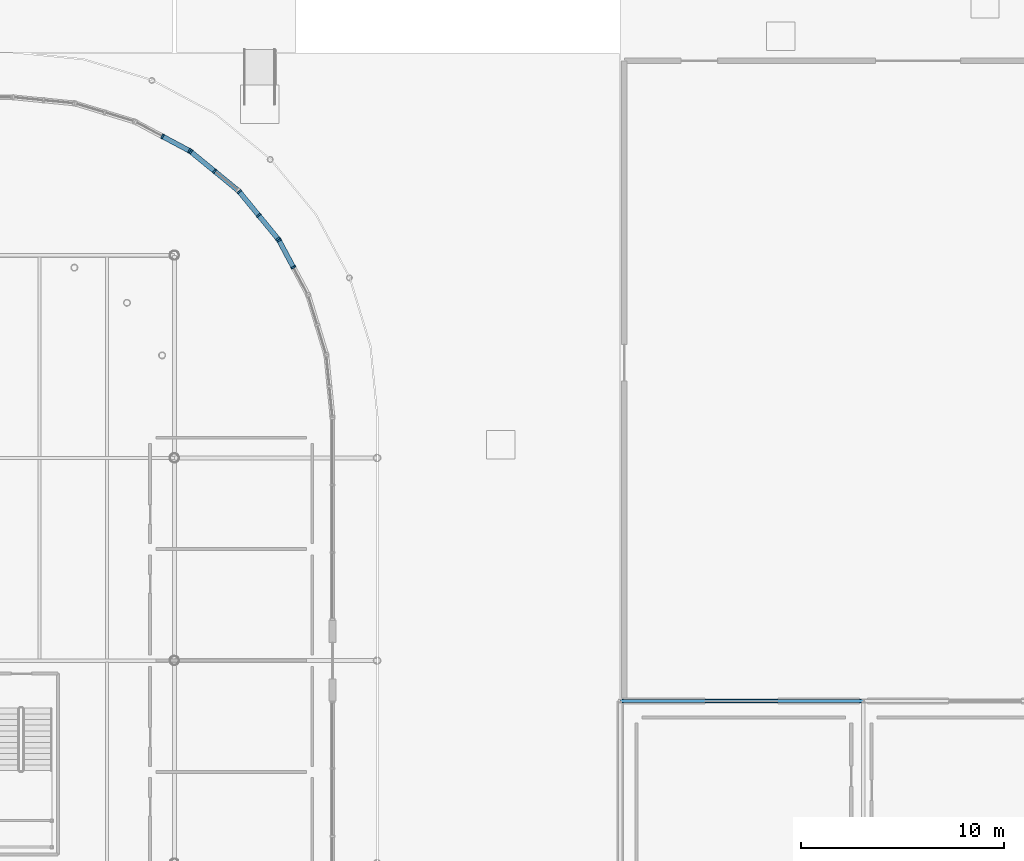
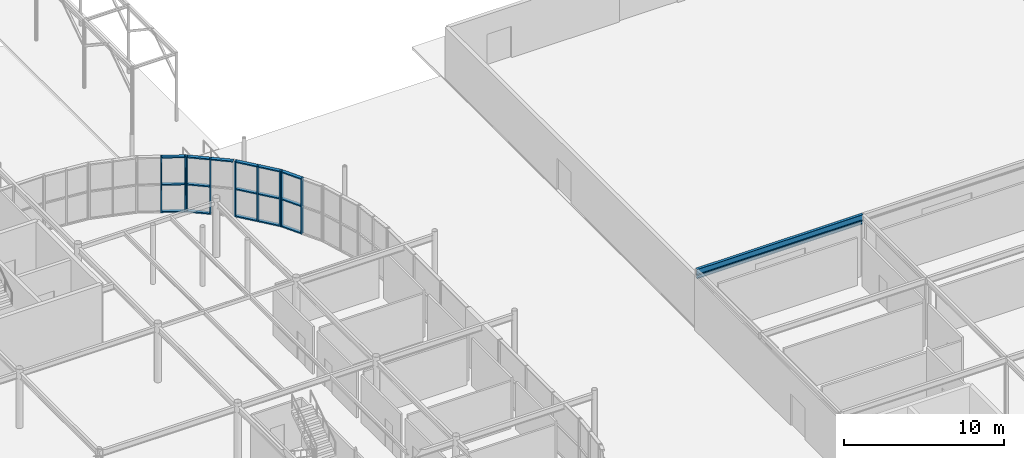
# One storey, part 69 of 119: 25 members, 2 beams, 4 elements without a shape of their own.
"""IFC4 building model written with IfcOpenShell, lengths in metres."""

from ifc_helpers import new_model, si_unit, derived_unit, direction, frame, origin, origin_2d_with_axis, place, context, subcontext, project, spatial, rectangle, i_section, extrude, material, material_profile, profile_set, type_object, element, aggregate, save


model = new_model("IFC4")

# Units and contexts
model_context = context("Model", 3, precision=1e-05, world=origin(), true_north=direction((0.0, 1.0)))
body_context = subcontext(model_context, "Body", "Model", "MODEL_VIEW")
ifc_project = project(units=[si_unit("LENGTHUNIT", "METRE"), si_unit("AREAUNIT", "SQUARE_METRE"), si_unit("VOLUMEUNIT", "CUBIC_METRE"), si_unit("PLANEANGLEUNIT", "RADIAN"), si_unit("MASSUNIT", "GRAM", prefix="KILO"), derived_unit("THERMALTRANSMITTANCEUNIT", [(si_unit("POWERUNIT", "WATT"), 1), (si_unit("LENGTHUNIT", "METRE"), -2), (si_unit("THERMODYNAMICTEMPERATUREUNIT", "KELVIN"), -1)])], contexts=[model_context])

# Site, building, storey
site_placement = place(None, origin())
site = spatial("IfcSite", under=ifc_project, at=site_placement, CompositionType="ELEMENT")
building_placement = place(site_placement, origin())
building = spatial("IfcBuilding", under=site, at=building_placement, Name="Cinnabar Yard Market Hall", CompositionType="ELEMENT")
storey_placement = place(building_placement, origin())
storey = spatial("IfcBuildingStorey", under=building, at=storey_placement, Name="L00", CompositionType="ELEMENT", Elevation=0.0)

# Beams
ifc_material_1 = material(Name="Steel Grade 300 (300 MPa)", Category="steel")
ifc_material_profile_1 = material_profile(ifc_material_1, i_section(OverallWidth=0.18994140625, OverallDepth=0.453857421875, WebThickness=0.008544921875, FlangeThickness=0.0126953125, FilletRadius=0.011474609375, at=origin_2d_with_axis()), Name="460UB67.1")
ifc_profile_set_1 = profile_set([ifc_material_profile_1], Name="Steel Grade 300 (300 MPa)")
beam_type_1 = type_object("IfcBeamType", Name="BM-B05E", PredefinedType="BEAM", material=ifc_profile_set_1)
beam_1_placement = place(storey_placement, frame((178.0, 42.0, 4.403076171875), z_axis=(1.0, 0.0, 0.0), x_axis=(0.0, 1.0, 0.0)))
element("IfcBeam", 1, at=beam_1_placement, inside=storey, type_object=beam_type_1, Name="V4 Dock Roof Girder X 01494", PredefinedType="BEAM", context=body_context, shape_type="SweptSolid", body=[
    extrude(i_section(OverallWidth=0.18994140625, OverallDepth=0.453857421875, WebThickness=0.008544921875, FlangeThickness=0.0126953125, FilletRadius=0.011474609375, at=origin_2d_with_axis()), origin(), (0.0, 0.0, 1.0), 12.0),
])
ifc_material_profile_2 = material_profile(ifc_material_1, i_section(OverallWidth=0.14599609375, OverallDepth=0.256103515625, WebThickness=0.00634765625, FlangeThickness=0.010986328125, FilletRadius=0.0087890625, at=origin_2d_with_axis()), Name="250UB37.3")
ifc_profile_set_2 = profile_set([ifc_material_profile_2], Name="Steel Grade 300 (300 MPa)")
beam_type_2 = type_object("IfcBeamType", Name="BM-LN02E", PredefinedType="LINTEL", material=ifc_profile_set_2)
beam_2_placement = place(storey_placement, frame((178.0, 42.0, 4.02197265625), z_axis=(1.0, 0.0, 0.0), x_axis=(0.0, 1.0, 0.0)))
element("IfcBeam", 2, at=beam_2_placement, inside=storey, type_object=beam_type_2, Name="Dock Portal Lintel 01495", PredefinedType="LINTEL", context=body_context, shape_type="SweptSolid", body=[
    extrude(i_section(OverallWidth=0.14599609375, OverallDepth=0.256103515625, WebThickness=0.00634765625, FlangeThickness=0.010986328125, FilletRadius=0.0087890625, at=origin_2d_with_axis()), origin(), (0.0, 0.0, 1.0), 12.0),
])

# Curtain wall, members
ifc_material_2 = material(Name="Anodised bronze aluminium curved-chord facade", Category="aluminium")
curtain_wall_type = type_object("IfcCurtainWallType", Name="CW-CWC031x42", PredefinedType="NOTDEFINED", material=ifc_material_2)
curtain_wall_1_placement = place(storey_placement, origin())
curtain_wall_1 = element("IfcCurtainWall", 3, at=curtain_wall_1_placement, inside=storey, type_object=curtain_wall_type, Name="Corner NE Chord 3 L00", PredefinedType="NOTDEFINED")
ifc_material_3 = material(Name="Anodised bronze aluminium", Category="aluminium")
ifc_material_profile_3 = material_profile(ifc_material_3, rectangle(XDim=0.239990234375, YDim=0.090087890625, at=origin_2d_with_axis()), Name="MUL-CWC")
ifc_profile_set_3 = profile_set([ifc_material_profile_3], Name="Anodised bronze aluminium")
member_type_1 = type_object("IfcMemberType", Name="CWM-CWC", PredefinedType="MULLION", material=ifc_profile_set_3)
member_1_placement = place(storey_placement, frame((161.8671875, 63.412109375, 0.0), z_axis=(0.0, 0.0, 1.0), x_axis=(-0.881917320707, -0.471404114786, 0.0)))
member_1 = element("IfcMember", 4, at=member_1_placement, type_object=member_type_1, Name="CWC031x42 mullion 2", PredefinedType="MULLION", context=body_context, shape_type="SweptSolid", body=[
    extrude(rectangle(XDim=0.239990234375, YDim=0.090087890625, at=origin_2d_with_axis()), origin(), (0.0, 0.0, 1.0), 4.239990234375),
])
member_2_placement = place(storey_placement, frame((161.158447265625, 64.73828125, 0.0), z_axis=(0.0, 0.0, 1.0), x_axis=(-0.881917320707, -0.471404114786, 0.0)))
member_2 = element("IfcMember", 5, at=member_2_placement, type_object=member_type_1, Name="CWC031x42 mullion 3", PredefinedType="MULLION", context=body_context, shape_type="SweptSolid", body=[
    extrude(rectangle(XDim=0.239990234375, YDim=0.090087890625, at=origin_2d_with_axis()), origin(), (0.0, 0.0, 1.0), 4.239990234375),
])

curtain_wall_2_placement = place(storey_placement, origin())
curtain_wall_2 = element("IfcCurtainWall", 6, at=curtain_wall_2_placement, inside=storey, type_object=curtain_wall_type, Name="Corner NE Chord 4 L00", PredefinedType="NOTDEFINED")
member_3_placement = place(storey_placement, frame((161.108642578125, 64.812744140625, 0.0), z_axis=(0.0, 0.0, 1.0), x_axis=(-0.773018564222, -0.634383400924, 0.0)))
member_3 = element("IfcMember", 7, at=member_3_placement, type_object=member_type_1, Name="CWC031x42 mullion 1", PredefinedType="MULLION", context=body_context, shape_type="SweptSolid", body=[
    extrude(rectangle(XDim=0.239990234375, YDim=0.090087890625, at=origin_2d_with_axis()), origin(), (0.0, 0.0, 1.0), 4.239990234375),
])
member_4_placement = place(storey_placement, frame((160.15478515625, 65.97509765625, 0.0), z_axis=(0.0, 0.0, 1.0), x_axis=(-0.773018564222, -0.634383400924, 0.0)))
member_4 = element("IfcMember", 8, at=member_4_placement, type_object=member_type_1, Name="CWC031x42 mullion 2", PredefinedType="MULLION", context=body_context, shape_type="SweptSolid", body=[
    extrude(rectangle(XDim=0.239990234375, YDim=0.090087890625, at=origin_2d_with_axis()), origin(), (0.0, 0.0, 1.0), 4.239990234375),
])
member_5_placement = place(storey_placement, frame((159.200927734375, 67.137451171875, 0.0), z_axis=(0.0, 0.0, 1.0), x_axis=(-0.773018564222, -0.634383400924, 0.0)))
member_5 = element("IfcMember", 9, at=member_5_placement, type_object=member_type_1, Name="CWC031x42 mullion 3", PredefinedType="MULLION", context=body_context, shape_type="SweptSolid", body=[
    extrude(rectangle(XDim=0.239990234375, YDim=0.090087890625, at=origin_2d_with_axis()), origin(), (0.0, 0.0, 1.0), 4.239990234375),
])

curtain_wall_3_placement = place(storey_placement, origin())
curtain_wall_3 = element("IfcCurtainWall", 10, at=curtain_wall_3_placement, inside=storey, type_object=curtain_wall_type, Name="Corner NE Chord 5 L00", PredefinedType="NOTDEFINED")
member_6_placement = place(storey_placement, frame((157.97509765625, 68.15478515625, 0.0), z_axis=(0.0, 0.0, 1.0), x_axis=(-0.634383400924, -0.773018564222, 0.0)))
member_6 = element("IfcMember", 11, at=member_6_placement, type_object=member_type_1, Name="CWC031x42 mullion 2", PredefinedType="MULLION", context=body_context, shape_type="SweptSolid", body=[
    extrude(rectangle(XDim=0.239990234375, YDim=0.090087890625, at=origin_2d_with_axis()), origin(), (0.0, 0.0, 1.0), 4.239990234375),
])
member_7_placement = place(storey_placement, frame((156.812744140625, 69.108642578125, 0.0), z_axis=(0.0, 0.0, 1.0), x_axis=(-0.634383400924, -0.773018564222, 0.0)))
member_7 = element("IfcMember", 12, at=member_7_placement, type_object=member_type_1, Name="CWC031x42 mullion 3", PredefinedType="MULLION", context=body_context, shape_type="SweptSolid", body=[
    extrude(rectangle(XDim=0.239990234375, YDim=0.090087890625, at=origin_2d_with_axis()), origin(), (0.0, 0.0, 1.0), 4.239990234375),
])

curtain_wall_4_placement = place(storey_placement, origin())
curtain_wall_4 = element("IfcCurtainWall", 13, at=curtain_wall_4_placement, inside=storey, type_object=curtain_wall_type, Name="Corner NE Chord 6 L00", PredefinedType="NOTDEFINED")
member_8_placement = place(storey_placement, frame((156.73828125, 69.158447265625, 0.0), z_axis=(0.0, 0.0, 1.0), x_axis=(-0.471404114786, -0.881917320707, 0.0)))
member_8 = element("IfcMember", 14, at=member_8_placement, type_object=member_type_1, Name="CWC031x42 mullion 1", PredefinedType="MULLION", context=body_context, shape_type="SweptSolid", body=[
    extrude(rectangle(XDim=0.239990234375, YDim=0.090087890625, at=origin_2d_with_axis()), origin(), (0.0, 0.0, 1.0), 4.239990234375),
])
member_9_placement = place(storey_placement, frame((155.412109375, 69.8671875, 0.0), z_axis=(0.0, 0.0, 1.0), x_axis=(-0.471404114786, -0.881917320707, 0.0)))
member_9 = element("IfcMember", 15, at=member_9_placement, type_object=member_type_1, Name="CWC031x42 mullion 2", PredefinedType="MULLION", context=body_context, shape_type="SweptSolid", body=[
    extrude(rectangle(XDim=0.239990234375, YDim=0.090087890625, at=origin_2d_with_axis()), origin(), (0.0, 0.0, 1.0), 4.239990234375),
])

# Member
ifc_material_profile_4 = material_profile(ifc_material_3, rectangle(XDim=0.239990234375, YDim=0.090087890625, at=origin_2d_with_axis()), Name="TRN-CWC")
ifc_profile_set_4 = profile_set([ifc_material_profile_4], Name="Anodised bronze aluminium")
member_type_2 = type_object("IfcMemberType", Name="CWT-CWC", PredefinedType="USERDEFINED", material=ifc_profile_set_4)
member_10_placement = place(storey_placement, frame((161.845947265625, 63.451904296875, 0.044921875), z_axis=(-0.471296210365, 0.881974989496, 0.0), x_axis=(-0.881974989496, -0.471296210365, 0.0)))
member_10 = element("IfcMember", 16, at=member_10_placement, type_object=member_type_2, Name="CWC031x42 transom 2.1", ObjectType="TRANSOM", PredefinedType="USERDEFINED", context=body_context, shape_type="SweptSolid", body=[
    extrude(rectangle(XDim=0.239990234375, YDim=0.090087890625, at=origin_2d_with_axis()), origin(), (0.0, 0.0, 1.0), 1.41357421875),
])

member_11_placement = place(storey_placement, frame((161.845947265625, 63.451904296875, 2.1201171875), z_axis=(-0.471296210365, 0.881974989496, 0.0), x_axis=(-0.881974989496, -0.471296210365, 0.0)))
member_11 = element("IfcMember", 17, at=member_11_placement, type_object=member_type_2, Name="CWC031x42 transom 2.2", ObjectType="TRANSOM", PredefinedType="USERDEFINED", context=body_context, shape_type="SweptSolid", body=[
    extrude(rectangle(XDim=0.239990234375, YDim=0.090087890625, at=origin_2d_with_axis()), origin(), (0.0, 0.0, 1.0), 1.41357421875),
])

member_12_placement = place(storey_placement, frame((161.845947265625, 63.451904296875, 4.195068359375), z_axis=(-0.471296210365, 0.881974989496, 0.0), x_axis=(-0.881974989496, -0.471296210365, 0.0)))
member_12 = element("IfcMember", 18, at=member_12_placement, type_object=member_type_2, Name="CWC031x42 transom 2.3", ObjectType="TRANSOM", PredefinedType="USERDEFINED", context=body_context, shape_type="SweptSolid", body=[
    extrude(rectangle(XDim=0.239990234375, YDim=0.090087890625, at=origin_2d_with_axis()), origin(), (0.0, 0.0, 1.0), 1.41357421875),
])

aggregate(curtain_wall_1, [member_1, member_2, member_10, member_11, member_12])

member_13_placement = place(storey_placement, frame((161.080078125, 64.84765625, 0.044921875), z_axis=(-0.634356309919, 0.773040795861, 0.0), x_axis=(-0.773040795861, -0.634356309919, 0.0)))
member_13 = element("IfcMember", 19, at=member_13_placement, type_object=member_type_2, Name="CWC031x42 transom 1.1", ObjectType="TRANSOM", PredefinedType="USERDEFINED", context=body_context, shape_type="SweptSolid", body=[
    extrude(rectangle(XDim=0.239990234375, YDim=0.090087890625, at=origin_2d_with_axis()), origin(), (0.0, 0.0, 1.0), 1.41357421875),
])

member_14_placement = place(storey_placement, frame((161.080078125, 64.84765625, 2.1201171875), z_axis=(-0.634356309919, 0.773040795861, 0.0), x_axis=(-0.773040795861, -0.634356309919, 0.0)))
member_14 = element("IfcMember", 20, at=member_14_placement, type_object=member_type_2, Name="CWC031x42 transom 1.2", ObjectType="TRANSOM", PredefinedType="USERDEFINED", context=body_context, shape_type="SweptSolid", body=[
    extrude(rectangle(XDim=0.239990234375, YDim=0.090087890625, at=origin_2d_with_axis()), origin(), (0.0, 0.0, 1.0), 1.41357421875),
])

member_15_placement = place(storey_placement, frame((161.080078125, 64.84765625, 4.195068359375), z_axis=(-0.634356309919, 0.773040795861, 0.0), x_axis=(-0.773040795861, -0.634356309919, 0.0)))
member_15 = element("IfcMember", 21, at=member_15_placement, type_object=member_type_2, Name="CWC031x42 transom 1.3", ObjectType="TRANSOM", PredefinedType="USERDEFINED", context=body_context, shape_type="SweptSolid", body=[
    extrude(rectangle(XDim=0.239990234375, YDim=0.090087890625, at=origin_2d_with_axis()), origin(), (0.0, 0.0, 1.0), 1.41357421875),
])

member_16_placement = place(storey_placement, frame((160.126220703125, 66.010009765625, 0.044921875), z_axis=(-0.634356309919, 0.773040795861, 0.0), x_axis=(-0.773040795861, -0.634356309919, 0.0)))
member_16 = element("IfcMember", 22, at=member_16_placement, type_object=member_type_2, Name="CWC031x42 transom 2.1", ObjectType="TRANSOM", PredefinedType="USERDEFINED", context=body_context, shape_type="SweptSolid", body=[
    extrude(rectangle(XDim=0.239990234375, YDim=0.090087890625, at=origin_2d_with_axis()), origin(), (0.0, 0.0, 1.0), 1.41357421875),
])

member_17_placement = place(storey_placement, frame((160.126220703125, 66.010009765625, 2.1201171875), z_axis=(-0.634356309919, 0.773040795861, 0.0), x_axis=(-0.773040795861, -0.634356309919, 0.0)))
member_17 = element("IfcMember", 23, at=member_17_placement, type_object=member_type_2, Name="CWC031x42 transom 2.2", ObjectType="TRANSOM", PredefinedType="USERDEFINED", context=body_context, shape_type="SweptSolid", body=[
    extrude(rectangle(XDim=0.239990234375, YDim=0.090087890625, at=origin_2d_with_axis()), origin(), (0.0, 0.0, 1.0), 1.41357421875),
])

member_18_placement = place(storey_placement, frame((160.126220703125, 66.010009765625, 4.195068359375), z_axis=(-0.634356309919, 0.773040795861, 0.0), x_axis=(-0.773040795861, -0.634356309919, 0.0)))
member_18 = element("IfcMember", 24, at=member_18_placement, type_object=member_type_2, Name="CWC031x42 transom 2.3", ObjectType="TRANSOM", PredefinedType="USERDEFINED", context=body_context, shape_type="SweptSolid", body=[
    extrude(rectangle(XDim=0.239990234375, YDim=0.090087890625, at=origin_2d_with_axis()), origin(), (0.0, 0.0, 1.0), 1.41357421875),
])

aggregate(curtain_wall_2, [member_3, member_4, member_5, member_13, member_14, member_15, member_16, member_17, member_18])

member_19_placement = place(storey_placement, frame((159.102783203125, 67.2294921875, 4.195068359375), z_axis=(-0.773040795861, 0.634356309919, 0.0), x_axis=(-0.634356309919, -0.773040795861, 0.0)))
member_19 = element("IfcMember", 25, at=member_19_placement, type_object=member_type_2, Name="CWC031x42 transom 1.3", ObjectType="TRANSOM", PredefinedType="USERDEFINED", context=body_context, shape_type="SweptSolid", body=[
    extrude(rectangle(XDim=0.239990234375, YDim=0.090087890625, at=origin_2d_with_axis()), origin(), (0.0, 0.0, 1.0), 1.41357421875),
])

member_20_placement = place(storey_placement, frame((157.9404296875, 68.183349609375, 0.044921875), z_axis=(-0.773040795861, 0.634356309919, 0.0), x_axis=(-0.634356309919, -0.773040795861, 0.0)))
member_20 = element("IfcMember", 26, at=member_20_placement, type_object=member_type_2, Name="CWC031x42 transom 2.1", ObjectType="TRANSOM", PredefinedType="USERDEFINED", context=body_context, shape_type="SweptSolid", body=[
    extrude(rectangle(XDim=0.239990234375, YDim=0.090087890625, at=origin_2d_with_axis()), origin(), (0.0, 0.0, 1.0), 1.41357421875),
])

member_21_placement = place(storey_placement, frame((157.9404296875, 68.183349609375, 2.1201171875), z_axis=(-0.773040795861, 0.634356309919, 0.0), x_axis=(-0.634356309919, -0.773040795861, 0.0)))
member_21 = element("IfcMember", 27, at=member_21_placement, type_object=member_type_2, Name="CWC031x42 transom 2.2", ObjectType="TRANSOM", PredefinedType="USERDEFINED", context=body_context, shape_type="SweptSolid", body=[
    extrude(rectangle(XDim=0.239990234375, YDim=0.090087890625, at=origin_2d_with_axis()), origin(), (0.0, 0.0, 1.0), 1.41357421875),
])

member_22_placement = place(storey_placement, frame((157.9404296875, 68.183349609375, 4.195068359375), z_axis=(-0.773040795861, 0.634356309919, 0.0), x_axis=(-0.634356309919, -0.773040795861, 0.0)))
member_22 = element("IfcMember", 28, at=member_22_placement, type_object=member_type_2, Name="CWC031x42 transom 2.3", ObjectType="TRANSOM", PredefinedType="USERDEFINED", context=body_context, shape_type="SweptSolid", body=[
    extrude(rectangle(XDim=0.239990234375, YDim=0.090087890625, at=origin_2d_with_axis()), origin(), (0.0, 0.0, 1.0), 1.41357421875),
])

aggregate(curtain_wall_3, [member_6, member_7, member_19, member_20, member_21, member_22])

member_23_placement = place(storey_placement, frame((156.69873046875, 69.1796875, 0.044921875), z_axis=(-0.881974989496, 0.471296210365, 0.0), x_axis=(-0.471296210365, -0.881974989496, 0.0)))
member_23 = element("IfcMember", 29, at=member_23_placement, type_object=member_type_2, Name="CWC031x42 transom 1.1", ObjectType="TRANSOM", PredefinedType="USERDEFINED", context=body_context, shape_type="SweptSolid", body=[
    extrude(rectangle(XDim=0.239990234375, YDim=0.090087890625, at=origin_2d_with_axis()), origin(), (0.0, 0.0, 1.0), 1.41357421875),
])

member_24_placement = place(storey_placement, frame((156.69873046875, 69.1796875, 2.1201171875), z_axis=(-0.881974989496, 0.471296210365, 0.0), x_axis=(-0.471296210365, -0.881974989496, 0.0)))
member_24 = element("IfcMember", 30, at=member_24_placement, type_object=member_type_2, Name="CWC031x42 transom 1.2", ObjectType="TRANSOM", PredefinedType="USERDEFINED", context=body_context, shape_type="SweptSolid", body=[
    extrude(rectangle(XDim=0.239990234375, YDim=0.090087890625, at=origin_2d_with_axis()), origin(), (0.0, 0.0, 1.0), 1.41357421875),
])

member_25_placement = place(storey_placement, frame((156.69873046875, 69.1796875, 4.195068359375), z_axis=(-0.881974989496, 0.471296210365, 0.0), x_axis=(-0.471296210365, -0.881974989496, 0.0)))
member_25 = element("IfcMember", 31, at=member_25_placement, type_object=member_type_2, Name="CWC031x42 transom 1.3", ObjectType="TRANSOM", PredefinedType="USERDEFINED", context=body_context, shape_type="SweptSolid", body=[
    extrude(rectangle(XDim=0.239990234375, YDim=0.090087890625, at=origin_2d_with_axis()), origin(), (0.0, 0.0, 1.0), 1.41357421875),
])

aggregate(curtain_wall_4, [member_8, member_9, member_23, member_24, member_25])

save(model, "model.ifc")
